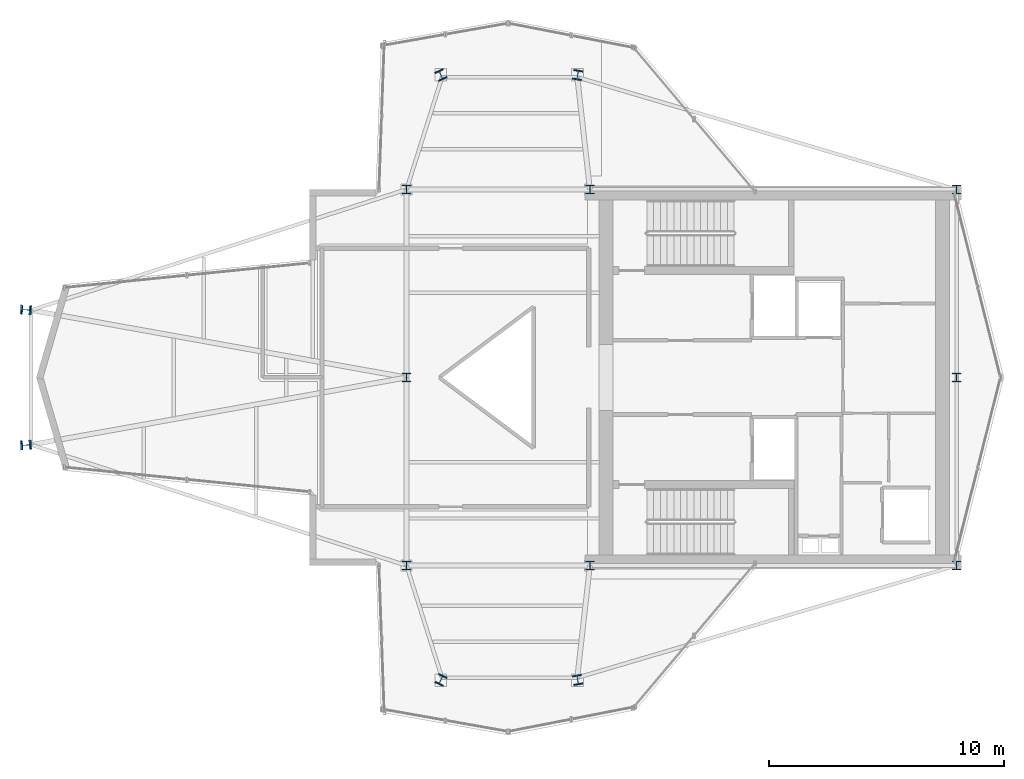
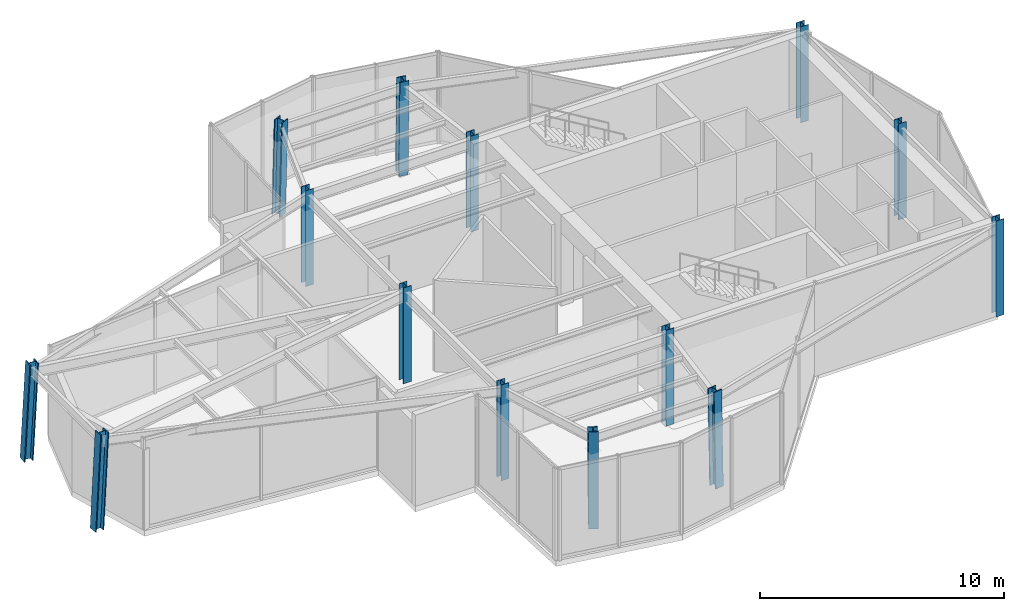
# One storey, part 1 of 15: 14 columns.
"""IFC4 building model written with IfcOpenShell, lengths in metres."""

from ifc_helpers import new_model, si_unit, direction, frame, origin, origin_2d, place, context, subcontext, project, spatial, i_section, extrude, material, material_profile, profile_set, type_object, element, save


model = new_model("IFC4")

# Units and contexts
model_context = context("Model", 3, precision=1e-05, world=origin(), true_north=direction((0.0, 1.0)))
body_context = subcontext(model_context, "Body", "Model", "MODEL_VIEW")
ifc_project = project(units=[si_unit("LENGTHUNIT", "METRE"), si_unit("AREAUNIT", "SQUARE_METRE"), si_unit("VOLUMEUNIT", "CUBIC_METRE"), si_unit("PLANEANGLEUNIT", "RADIAN"), si_unit("MASSUNIT", "GRAM", prefix="KILO")], contexts=[model_context])

# Site, building, storey
site_placement = place(None, origin())
site = spatial("IfcSite", under=ifc_project, at=site_placement, CompositionType="ELEMENT")
building_placement = place(site_placement, origin())
building = spatial("IfcBuilding", under=site, at=building_placement, Name="Veymaron Broadcast Tower", CompositionType="ELEMENT")
storey_placement = place(building_placement, frame((0.0, 0.0, 262.050048828125)))
storey = spatial("IfcBuildingStorey", under=building, at=storey_placement, Name="L61", CompositionType="ELEMENT", Elevation=262.050048828125)

# Columns
ifc_material_1 = material(Name="Structural steel ASTM A992 Gr 50", Category="steel")
ifc_material_profile_1 = material_profile(ifc_material_1, i_section(OverallWidth=0.373046875, OverallDepth=0.367919921875, WebThickness=0.014892578125, FlangeThickness=0.02392578125, at=origin_2d()), Name="W360X179")
ifc_profile_set_1 = profile_set([ifc_material_profile_1], Name="Structural steel ASTM A992 Gr 50")
column_type_1 = type_object("IfcColumnType", Name="COL-HC4", PredefinedType="COLUMN", material=ifc_profile_set_1)
for number, where, z_axis, x_axis, name in (
    (1, (31.199951171875, 16.0, 0.0), (0.0, 0.0, 1.0), (1.0, 0.0, 0.0), "L61 structural hub and core column"),
    (2, (31.199951171875, 24.0, 0.0), (0.0, 0.0, 1.0), (1.0, 0.0, 0.0), "L61 structural hub and core column"),
    (3, (31.199951171875, 32.0, 0.0), (0.0, 0.0, 1.0), (1.0, 0.0, 0.0), "L61 structural hub and core column"),
    (4, (39.0, 16.0, 0.0), (0.0, 0.0, 1.0), (1.0, 0.0, 0.0), "L61 structural hub and core column"),
    (5, (39.0, 32.0, 0.0), (0.0, 0.0, 1.0), (1.0, 0.0, 0.0), "L61 structural hub and core column"),
    (6, (54.60009765625, 16.0, 0.0), (0.0, 0.0, 1.0), (1.0, 0.0, 0.0), "L61 structural hub and core column"),
    (7, (54.60009765625, 24.0, 0.0), (0.0, 0.0, 1.0), (1.0, 0.0, 0.0), "L61 structural hub and core column"),
    (8, (54.60009765625, 32.0, 0.0), (0.0, 0.0, 1.0), (1.0, 0.0, 0.0), "L61 structural hub and core column"),
):
    element("IfcColumn", number, at=place(storey_placement, frame(where, z_axis=z_axis, x_axis=x_axis)), inside=storey, type_object=column_type_1, Name=name, PredefinedType="COLUMN", context=body_context, shape_type="SweptSolid", body=[
        extrude(i_section(OverallWidth=0.373046875, OverallDepth=0.367919921875, WebThickness=0.014892578125, FlangeThickness=0.02392578125, at=origin_2d()), origin(), (0.0, 0.0, 1.0), 4.7939453125),
    ])
ifc_material_2 = material(Name="Structural steel ASTM A913 Gr 65", Category="steel")
ifc_material_profile_2 = material_profile(ifc_material_2, i_section(OverallWidth=0.406005859375, OverallDepth=0.416015625, WebThickness=0.02978515625, FlangeThickness=0.048095703125, at=origin_2d()), Name="W360X382")
ifc_profile_set_2 = profile_set([ifc_material_profile_2], Name="Structural steel ASTM A913 Gr 65")
column_type_2 = type_object("IfcColumnType", Name="COL-MC4", PredefinedType="COLUMN", material=ifc_profile_set_2)
for number, where, z_axis, x_axis, name in (
    (9, (14.97607421875, 21.1201171875, 0.015869140625), (0.052002910207, 0.0037327556, 0.998639957074), (-0.071595539329, 0.997433746546, 0.0), "L61 Tapered Wing Mega Column"),
    (10, (14.97607421875, 26.8798828125, 0.015869140625), (0.052002910207, -0.0037327556, 0.998639957074), (0.071595539329, 0.997433746546, 0.0), "L61 Tapered Wing Mega Column"),
):
    element("IfcColumn", number, at=place(storey_placement, frame(where, z_axis=z_axis, x_axis=x_axis)), inside=storey, type_object=column_type_2, Name=name, PredefinedType="COLUMN", context=body_context, shape_type="SweptSolid", body=[
        extrude(i_section(OverallWidth=0.406005859375, OverallDepth=0.416015625, WebThickness=0.02978515625, FlangeThickness=0.048095703125, at=origin_2d()), origin(), (0.0, 0.0, 1.0), 4.774658203125),
    ])
column_1_placement = place(storey_placement, frame((32.656005859375, 36.8798828125, 0.015869140625), z_axis=(0.010544588521, -0.022624796729, 0.999688416571), x_axis=(0.906392585431, 0.422436363345, 0.0)))
element("IfcColumn", 11, at=column_1_placement, inside=storey, type_object=column_type_2, Name="L61 Tapered Wing Mega Column", PredefinedType="COLUMN", context=body_context, shape_type="SweptSolid", body=[
    extrude(i_section(OverallWidth=0.406005859375, OverallDepth=0.416015625, WebThickness=0.02978515625, FlangeThickness=0.048095703125, at=origin_2d()), origin(), (0.0, 0.0, 1.0), 4.76953125),
])
column_2_placement = place(storey_placement, frame((38.47998046875, 36.8798828125, 0.015869140625), z_axis=(-0.003788045318, -0.022625892307, 0.999736825225), x_axis=(0.986273042842, -0.165122636132, 0.0)))
element("IfcColumn", 12, at=column_2_placement, inside=storey, type_object=column_type_2, Name="L61 Tapered Wing Mega Column", PredefinedType="COLUMN", context=body_context, shape_type="SweptSolid", body=[
    extrude(i_section(OverallWidth=0.406005859375, OverallDepth=0.416015625, WebThickness=0.02978515625, FlangeThickness=0.048095703125, at=origin_2d()), origin(), (0.0, 0.0, 1.0), 4.769287109375),
])
column_3_placement = place(storey_placement, frame((32.656005859375, 11.1201171875, 0.015869140625), z_axis=(0.010544588521, 0.022624796729, 0.999688416571), x_axis=(-0.906392585431, 0.422436363345, 0.0)))
element("IfcColumn", 13, at=column_3_placement, inside=storey, type_object=column_type_2, Name="L61 Tapered Wing Mega Column", PredefinedType="COLUMN", context=body_context, shape_type="SweptSolid", body=[
    extrude(i_section(OverallWidth=0.406005859375, OverallDepth=0.416015625, WebThickness=0.02978515625, FlangeThickness=0.048095703125, at=origin_2d()), origin(), (0.0, 0.0, 1.0), 4.76953125),
])
column_4_placement = place(storey_placement, frame((38.47998046875, 11.1201171875, 0.015869140625), z_axis=(-0.003788045318, 0.022625892307, 0.999736825225), x_axis=(-0.986273042842, -0.165122636132, 0.0)))
element("IfcColumn", 14, at=column_4_placement, inside=storey, type_object=column_type_2, Name="L61 Tapered Wing Mega Column", PredefinedType="COLUMN", context=body_context, shape_type="SweptSolid", body=[
    extrude(i_section(OverallWidth=0.406005859375, OverallDepth=0.416015625, WebThickness=0.02978515625, FlangeThickness=0.048095703125, at=origin_2d()), origin(), (0.0, 0.0, 1.0), 4.769287109375),
])

save(model, "model.ifc")
